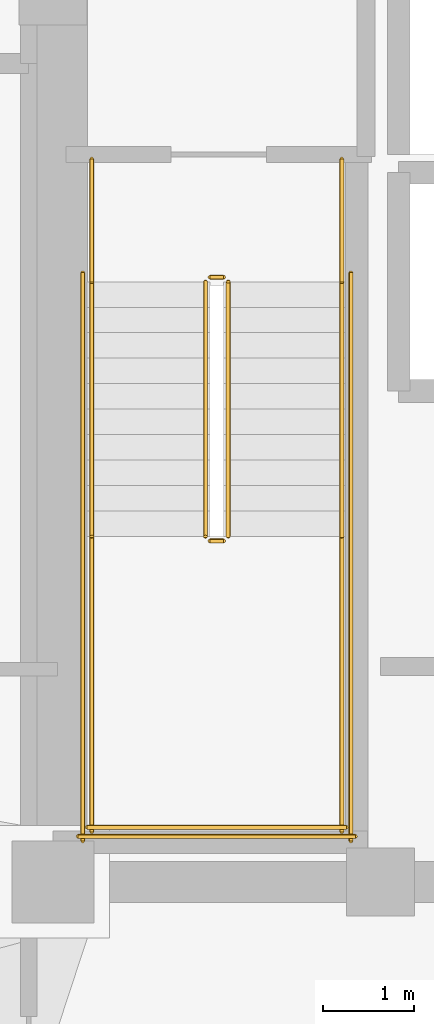
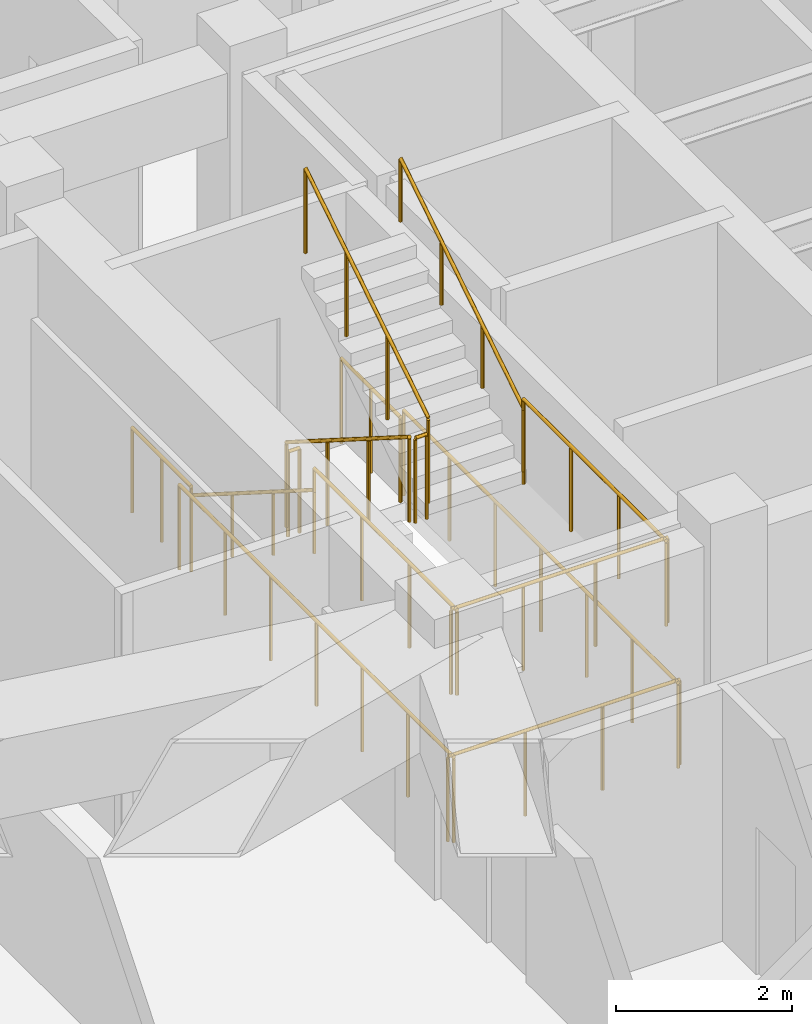
# One storey, part 12 of 13: 14 railings.
"""IFC4 building model written with IfcOpenShell, lengths in metres."""

from ifc_helpers import new_model, si_unit, direction, frame, origin, origin_2d, place, context, subcontext, project, spatial, circle, extrude, material, type_object, element, save


model = new_model("IFC4")

# Units and contexts
model_context = context("Model", 3, precision=1e-05, world=origin(), true_north=direction((0.0, 1.0)))
body_context = subcontext(model_context, "Body", "Model", "MODEL_VIEW")
ifc_project = project(units=[si_unit("LENGTHUNIT", "METRE"), si_unit("AREAUNIT", "SQUARE_METRE"), si_unit("VOLUMEUNIT", "CUBIC_METRE"), si_unit("PLANEANGLEUNIT", "RADIAN"), si_unit("MASSUNIT", "GRAM", prefix="KILO")], contexts=[model_context])

# Site, building, storey
site_placement = place(None, origin())
site = spatial("IfcSite", under=ifc_project, at=site_placement, CompositionType="ELEMENT")
building_placement = place(site_placement, origin())
building = spatial("IfcBuilding", under=site, at=building_placement, Name="Voryun Gate Residences", CompositionType="ELEMENT")
storey_placement = place(building_placement, frame((0.0, 0.0, 191.10009765625)))
storey = spatial("IfcBuildingStorey", under=building, at=storey_placement, Name="L47", CompositionType="ELEMENT", Elevation=191.10009765625)

# Railings
ifc_material_1 = material(Name="Painted steel", Category="steel")
railing_type_1 = type_object("IfcRailingType", Name="RAIL_STAIR_GUARD_1200", PredefinedType="GUARDRAIL", material=ifc_material_1)
railing_1_placement = place(storey_placement, frame((-17.52490234375, -0.800048828125, 0.17724609375)))
element("IfcRailing", 1, at=railing_1_placement, inside=storey, type_object=railing_type_1, Name="L47 ST-W1 stair guard 1", PredefinedType="GUARDRAIL", context=body_context, shape_type="SweptSolid", body=[
    extrude(circle(Radius=0.02392578125, at=origin_2d()), frame((0.0, 0.0, 1.17578125), z_axis=(0.0, -0.844908973607, 0.534910110503), x_axis=(1.0, 0.0, 0.0)), (0.0, 0.0, 1.0), 3.31396484375),
    extrude(circle(Radius=0.02099609375, at=origin_2d()), origin(), (0.0, 0.0, 1.0), 1.15185546875),
    extrude(circle(Radius=0.02099609375, at=origin_2d()), frame((0.0, -0.933349609375, 0.5908203125)), (0.0, 0.0, 1.0), 1.15185546875),
    extrude(circle(Radius=0.02099609375, at=origin_2d()), frame((0.0, -1.86669921875, 1.181884765625)), (0.0, 0.0, 1.0), 1.15185546875),
    extrude(circle(Radius=0.02099609375, at=origin_2d()), frame((0.0, -2.800048828125, 1.772705078125)), (0.0, 0.0, 1.0), 1.15185546875),
])
railing_2_placement = place(storey_placement, frame((-17.47509765625, -3.64990234375, 1.949951171875)))
element("IfcRailing", 2, at=railing_2_placement, inside=storey, type_object=railing_type_1, Name="L47 ST-W1 stair guard 2", PredefinedType="GUARDRAIL", context=body_context, shape_type="SweptSolid", body=[
    extrude(circle(Radius=0.02392578125, at=origin_2d()), frame((0.0, 0.0, 1.17578125), z_axis=(1.0, 0.0, 0.0), x_axis=(0.0, 1.0, 0.0)), (0.0, 0.0, 1.0), 0.150146484375),
    extrude(circle(Radius=0.02099609375, at=origin_2d()), origin(), (0.0, 0.0, 1.0), 1.15185546875),
    extrude(circle(Radius=0.02099609375, at=origin_2d()), frame((0.150146484375, 0.0, 0.0)), (0.0, 0.0, 1.0), 1.15185546875),
])
for number, where, name in (
    (3, (-18.77490234375, -3.60009765625, 1.949951171875), "L47 ST-W1 stair guard 3"),
    (4, (-16.02490234375, -3.60009765625, 1.949951171875), "L47 ST-W1 stair guard 4"),
):
    element("IfcRailing", number, at=place(storey_placement, frame(where)), inside=storey, type_object=railing_type_1, Name=name, PredefinedType="GUARDRAIL", context=body_context, shape_type="SweptSolid", body=[
        extrude(circle(Radius=0.02392578125, at=origin_2d()), frame((0.0, 0.0, 1.17578125), z_axis=(0.0, -1.0, 0.0), x_axis=(1.0, 0.0, 0.0)), (0.0, 0.0, 1.0), 3.25),
        extrude(circle(Radius=0.02099609375, at=origin_2d()), origin(), (0.0, 0.0, 1.0), 1.15185546875),
        extrude(circle(Radius=0.02099609375, at=origin_2d()), frame((0.0, -1.083251953125, 0.0)), (0.0, 0.0, 1.0), 1.15185546875),
        extrude(circle(Radius=0.02099609375, at=origin_2d()), frame((0.0, -2.166748046875, 0.0)), (0.0, 0.0, 1.0), 1.15185546875),
        extrude(circle(Radius=0.02099609375, at=origin_2d()), frame((0.0, -3.25, 0.0)), (0.0, 0.0, 1.0), 1.15185546875),
    ])
railing_3_placement = place(storey_placement, frame((-18.824951171875, -6.800048828125, 1.949951171875)))
element("IfcRailing", 5, at=railing_3_placement, inside=storey, type_object=railing_type_1, Name="L47 ST-W1 stair guard 5", PredefinedType="GUARDRAIL", context=body_context, shape_type="SweptSolid", body=[
    extrude(circle(Radius=0.02392578125, at=origin_2d()), frame((0.0, 0.0, 1.17578125), z_axis=(1.0, 0.0, 0.0), x_axis=(0.0, 1.0, 0.0)), (0.0, 0.0, 1.0), 2.849853515625),
    extrude(circle(Radius=0.02099609375, at=origin_2d()), origin(), (0.0, 0.0, 1.0), 1.15185546875),
    extrude(circle(Radius=0.02099609375, at=origin_2d()), frame((0.949951171875, 0.0, 0.0)), (0.0, 0.0, 1.0), 1.15185546875),
    extrude(circle(Radius=0.02099609375, at=origin_2d()), frame((1.89990234375, 0.0, 0.0)), (0.0, 0.0, 1.0), 1.15185546875),
    extrude(circle(Radius=0.02099609375, at=origin_2d()), frame((2.849853515625, 0.0, 0.0)), (0.0, 0.0, 1.0), 1.15185546875),
])
railing_4_placement = place(storey_placement, frame((-17.27490234375, -3.60009765625, 2.127197265625)))
element("IfcRailing", 6, at=railing_4_placement, inside=storey, type_object=railing_type_1, Name="L47 ST-W1 stair guard 6", PredefinedType="GUARDRAIL", context=body_context, shape_type="SweptSolid", body=[
    extrude(circle(Radius=0.02392578125, at=origin_2d()), frame((0.0, 0.0, 1.17578125), z_axis=(0.0, 0.844908973607, 0.534910110503), x_axis=(-1.0, 0.0, 0.0)), (0.0, 0.0, 1.0), 3.31396484375),
    extrude(circle(Radius=0.02099609375, at=origin_2d()), origin(), (0.0, 0.0, 1.0), 1.15185546875),
    extrude(circle(Radius=0.02099609375, at=origin_2d()), frame((0.0, 0.933349609375, 0.5908203125)), (0.0, 0.0, 1.0), 1.15185546875),
    extrude(circle(Radius=0.02099609375, at=origin_2d()), frame((0.0, 1.86669921875, 1.181884765625)), (0.0, 0.0, 1.0), 1.15185546875),
    extrude(circle(Radius=0.02099609375, at=origin_2d()), frame((0.0, 2.800048828125, 1.772705078125)), (0.0, 0.0, 1.0), 1.15185546875),
])
railing_5_placement = place(storey_placement, frame((-17.47509765625, -0.75, 0.0)))
element("IfcRailing", 7, at=railing_5_placement, inside=storey, type_object=railing_type_1, Name="L47 ST-W1 stair guard 7", PredefinedType="GUARDRAIL", context=body_context, shape_type="SweptSolid", body=[
    extrude(circle(Radius=0.02392578125, at=origin_2d()), frame((0.0, 0.0, 1.17578125), z_axis=(1.0, 0.0, 0.0), x_axis=(0.0, 1.0, 0.0)), (0.0, 0.0, 1.0), 0.150146484375),
    extrude(circle(Radius=0.02099609375, at=origin_2d()), origin(), (0.0, 0.0, 1.0), 1.15185546875),
    extrude(circle(Radius=0.02099609375, at=origin_2d()), frame((0.150146484375, 0.0, 0.0)), (0.0, 0.0, 1.0), 1.15185546875),
])
for number, where, name in (
    (8, (-18.77490234375, 0.550048828125, 0.0), "L47 ST-W1 stair guard 8"),
    (9, (-16.02490234375, 0.550048828125, 0.0), "L47 ST-W1 stair guard 9"),
):
    element("IfcRailing", number, at=place(storey_placement, frame(where)), inside=storey, type_object=railing_type_1, Name=name, PredefinedType="GUARDRAIL", context=body_context, shape_type="SweptSolid", body=[
        extrude(circle(Radius=0.02392578125, at=origin_2d()), frame((0.0, 0.0, 1.17578125), z_axis=(0.0, -1.0, 0.0), x_axis=(1.0, 0.0, 0.0)), (0.0, 0.0, 1.0), 1.35009765625),
        extrude(circle(Radius=0.02099609375, at=origin_2d()), origin(), (0.0, 0.0, 1.0), 1.15185546875),
        extrude(circle(Radius=0.02099609375, at=origin_2d()), frame((0.0, -0.675048828125, 0.0)), (0.0, 0.0, 1.0), 1.15185546875),
        extrude(circle(Radius=0.02099609375, at=origin_2d()), frame((0.0, -1.35009765625, 0.0)), (0.0, 0.0, 1.0), 1.15185546875),
    ])
for number, where, name in (
    (10, (-18.875, -0.699951171875, 0.0), "L47 ST-W1 stair guard 10"),
    (11, (-15.925048828125, -0.699951171875, 0.0), "L47 ST-W1 stair guard 11"),
):
    element("IfcRailing", number, at=place(storey_placement, frame(where)), inside=storey, type_object=railing_type_1, Name=name, PredefinedType="GUARDRAIL", context=body_context, shape_type="SweptSolid", body=[
        extrude(circle(Radius=0.02392578125, at=origin_2d()), frame((0.0, 0.0, 1.17578125), z_axis=(0.0, -1.0, 0.0), x_axis=(1.0, 0.0, 0.0)), (0.0, 0.0, 1.0), 6.25),
        extrude(circle(Radius=0.02099609375, at=origin_2d()), origin(), (0.0, 0.0, 1.0), 1.15185546875),
        extrude(circle(Radius=0.02099609375, at=origin_2d()), frame((0.0, -1.041748046875, 0.0)), (0.0, 0.0, 1.0), 1.15185546875),
        extrude(circle(Radius=0.02099609375, at=origin_2d()), frame((0.0, -2.083251953125, 0.0)), (0.0, 0.0, 1.0), 1.15185546875),
        extrude(circle(Radius=0.02099609375, at=origin_2d()), frame((0.0, -3.125, 0.0)), (0.0, 0.0, 1.0), 1.15185546875),
        extrude(circle(Radius=0.02099609375, at=origin_2d()), frame((0.0, -4.166748046875, 0.0)), (0.0, 0.0, 1.0), 1.15185546875),
        extrude(circle(Radius=0.02099609375, at=origin_2d()), frame((0.0, -5.208251953125, 0.0)), (0.0, 0.0, 1.0), 1.15185546875),
        extrude(circle(Radius=0.02099609375, at=origin_2d()), frame((0.0, -6.25, 0.0)), (0.0, 0.0, 1.0), 1.15185546875),
    ])
railing_6_placement = place(storey_placement, frame((-18.925048828125, -6.89990234375, 0.0)))
element("IfcRailing", 12, at=railing_6_placement, inside=storey, type_object=railing_type_1, Name="L47 ST-W1 stair guard 12", PredefinedType="GUARDRAIL", context=body_context, shape_type="SweptSolid", body=[
    extrude(circle(Radius=0.02392578125, at=origin_2d()), frame((0.0, 0.0, 1.17578125), z_axis=(1.0, 0.0, 0.0), x_axis=(0.0, 1.0, 0.0)), (0.0, 0.0, 1.0), 3.050048828125),
    extrude(circle(Radius=0.02099609375, at=origin_2d()), origin(), (0.0, 0.0, 1.0), 1.15185546875),
    extrude(circle(Radius=0.02099609375, at=origin_2d()), frame((1.0166015625, 0.0, 0.0)), (0.0, 0.0, 1.0), 1.15185546875),
    extrude(circle(Radius=0.02099609375, at=origin_2d()), frame((2.033447265625, 0.0, 0.0)), (0.0, 0.0, 1.0), 1.15185546875),
    extrude(circle(Radius=0.02099609375, at=origin_2d()), frame((3.050048828125, 0.0, 0.0)), (0.0, 0.0, 1.0), 1.15185546875),
])
ifc_material_2 = material(Name="Painted steel", Category="steel")
railing_type_2 = type_object("IfcRailingType", Name="RAIL_STAIR_HANDRAIL_900", PredefinedType="HANDRAIL", material=ifc_material_2)
railing_7_placement = place(storey_placement, frame((-18.77490234375, -0.800048828125, 0.17724609375)))
element("IfcRailing", 13, at=railing_7_placement, inside=storey, type_object=railing_type_2, Name="L47 ST-W1 stair handrail 1", PredefinedType="HANDRAIL", context=body_context, shape_type="SweptSolid", body=[
    extrude(circle(Radius=0.02392578125, at=origin_2d()), frame((0.0, 0.0, 0.8759765625), z_axis=(0.0, -0.844908973607, 0.534910110503), x_axis=(1.0, 0.0, 0.0)), (0.0, 0.0, 1.0), 3.31396484375),
    extrude(circle(Radius=0.02099609375, at=origin_2d()), origin(), (0.0, 0.0, 1.0), 0.851806640625),
    extrude(circle(Radius=0.02099609375, at=origin_2d()), frame((0.0, -0.933349609375, 0.5908203125)), (0.0, 0.0, 1.0), 0.851806640625),
    extrude(circle(Radius=0.02099609375, at=origin_2d()), frame((0.0, -1.86669921875, 1.181884765625)), (0.0, 0.0, 1.0), 0.851806640625),
    extrude(circle(Radius=0.02099609375, at=origin_2d()), frame((0.0, -2.800048828125, 1.772705078125)), (0.0, 0.0, 1.0), 0.851806640625),
])
railing_8_placement = place(storey_placement, frame((-16.02490234375, -3.60009765625, 2.127197265625)))
element("IfcRailing", 14, at=railing_8_placement, inside=storey, type_object=railing_type_2, Name="L47 ST-W1 stair handrail 2", PredefinedType="HANDRAIL", context=body_context, shape_type="SweptSolid", body=[
    extrude(circle(Radius=0.02392578125, at=origin_2d()), frame((0.0, 0.0, 0.8759765625), z_axis=(0.0, 0.844908973607, 0.534910110503), x_axis=(-1.0, 0.0, 0.0)), (0.0, 0.0, 1.0), 3.31396484375),
    extrude(circle(Radius=0.02099609375, at=origin_2d()), origin(), (0.0, 0.0, 1.0), 0.851806640625),
    extrude(circle(Radius=0.02099609375, at=origin_2d()), frame((0.0, 0.933349609375, 0.5908203125)), (0.0, 0.0, 1.0), 0.851806640625),
    extrude(circle(Radius=0.02099609375, at=origin_2d()), frame((0.0, 1.86669921875, 1.181884765625)), (0.0, 0.0, 1.0), 0.851806640625),
    extrude(circle(Radius=0.02099609375, at=origin_2d()), frame((0.0, 2.800048828125, 1.772705078125)), (0.0, 0.0, 1.0), 0.851806640625),
])

save(model, "model.ifc")
